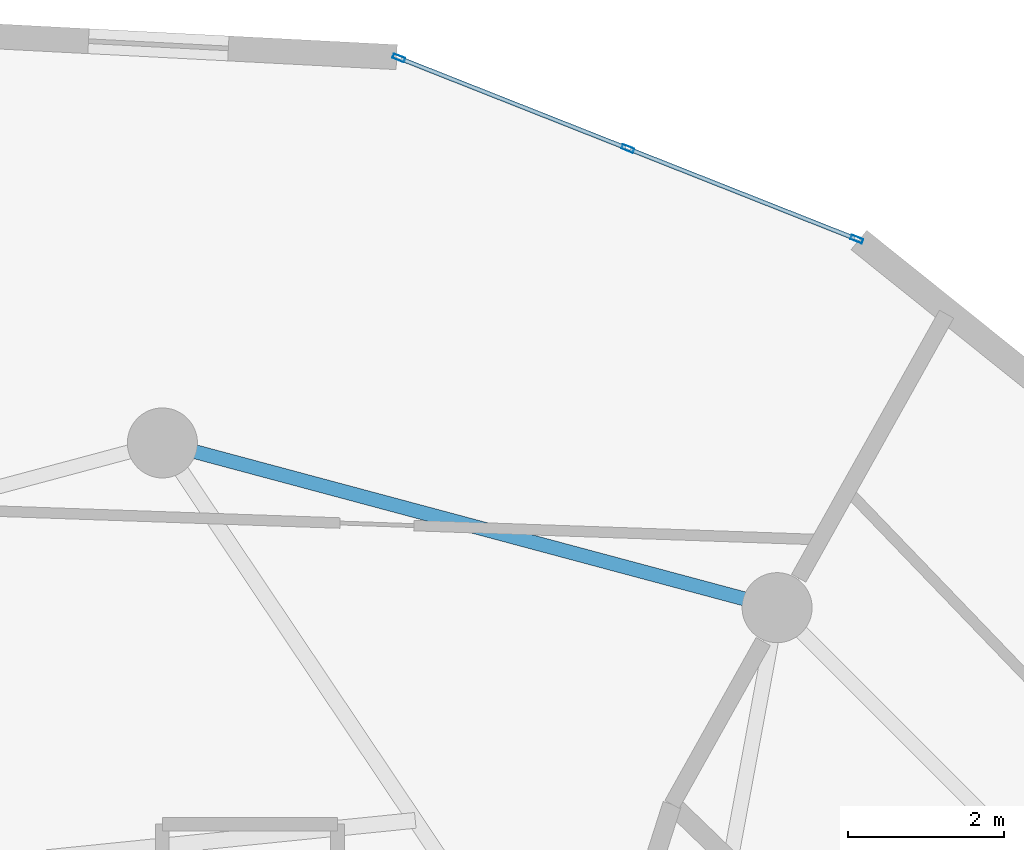
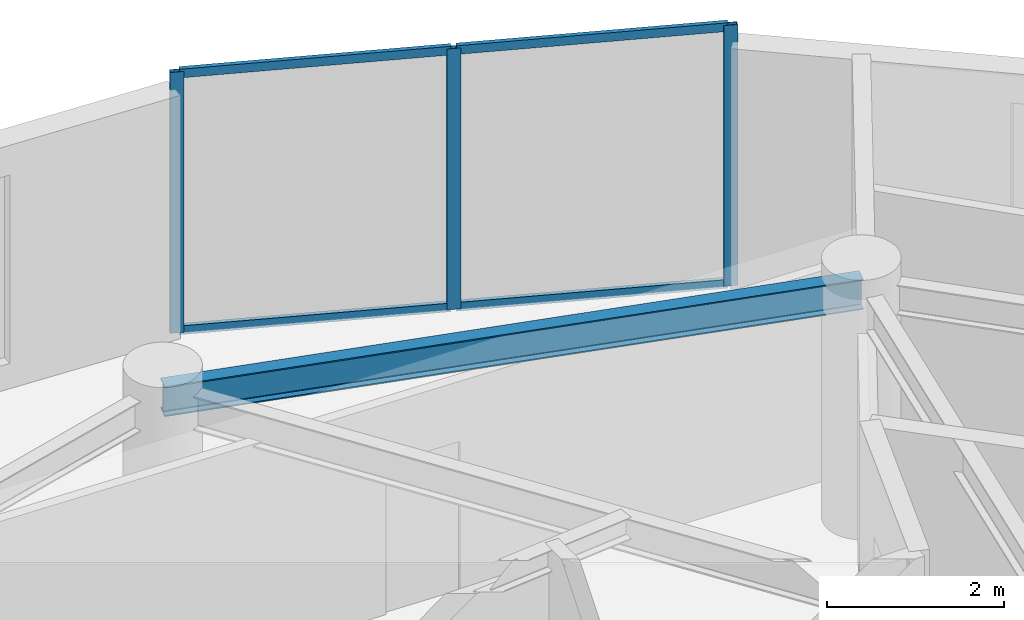
# One storey, part 12 of 18: 7 members, 1 beam, 1 element without a shape of its own.
"""IFC4 building model written with IfcOpenShell, lengths in metres."""

from ifc_helpers import new_model, si_unit, direction, frame, origin, origin_2d, place, context, subcontext, project, spatial, hollow_rectangle, i_section, extrude, source, transform, mapped, material, layer, layer_set, material_profile, profile_set, type_object, element, aggregate, save


model = new_model("IFC4")

# Units and contexts
model_context = context("Model", 3, precision=1e-05, world=origin(), true_north=direction((0.0, 1.0)))
body_context = subcontext(model_context, "Body", "Model", "MODEL_VIEW")
ifc_project = project(units=[si_unit("LENGTHUNIT", "METRE"), si_unit("AREAUNIT", "SQUARE_METRE"), si_unit("VOLUMEUNIT", "CUBIC_METRE"), si_unit("PLANEANGLEUNIT", "RADIAN"), si_unit("MASSUNIT", "GRAM", prefix="KILO")], contexts=[model_context])

# Site, building, storey
site_placement = place(None, origin())
site = spatial("IfcSite", under=ifc_project, at=site_placement, CompositionType="ELEMENT")
building_placement = place(site_placement, origin())
building = spatial("IfcBuilding", under=site, at=building_placement, Name="Solvirekh Grand Hotel", CompositionType="ELEMENT")
storey_placement = place(building_placement, frame((0.0, 0.0, 198.39990234375)))
storey = spatial("IfcBuildingStorey", under=building, at=storey_placement, Name="L51", CompositionType="ELEMENT", Elevation=198.39990234375)

# Beam
ifc_material_1 = material(Name="Steel S355", Category="steel")
ifc_material_profile_1 = material_profile(ifc_material_1, i_section(OverallWidth=0.180908203125, OverallDepth=0.4169921875, WebThickness=0.010009765625, FlangeThickness=0.01611328125, FilletRadius=0.011962890625, at=origin_2d()), Name="W410X85")
ifc_profile_set_1 = profile_set([ifc_material_profile_1], Name="Steel S355")
beam_type = type_object("IfcBeamType", Name="Spandrel_Ring_W410", PredefinedType="SPANDREL", material=ifc_profile_set_1)
beam_placement = place(storey_placement, frame((7.89990234375, 13.68310546875, 3.152099609375), z_axis=(-0.965920601923, 0.258838541915, 0.0), x_axis=(-0.258838541915, -0.965920601923, 0.0)))
element("IfcBeam", 1, at=beam_placement, inside=storey, type_object=beam_type, Name="L51 perimeter spandrel beam 3", PredefinedType="SPANDREL", context=body_context, shape_type="SweptSolid", body=[
    extrude(i_section(OverallWidth=0.180908203125, OverallDepth=0.4169921875, WebThickness=0.010009765625, FlangeThickness=0.01611328125, FilletRadius=0.011962890625, at=origin_2d()), origin(), (0.0, 0.0, 1.0), 8.1787109375),
])

# Curtain wall, members
ifc_material_2 = material(Name="Anodized Bronze Aluminium 6063-T6", Category="aluminium")
ifc_layer = layer(ifc_material_2, 0.159912109375)
ifc_layer_set = layer_set([ifc_layer], Name="Anodized Bronze Aluminium 6063-T6")
curtain_wall_type = type_object("IfcCurtainWallType", Name="CW_Sys4_HighZoneFlushBronzeCW", PredefinedType="NOTDEFINED", material=ifc_layer_set)
curtain_wall_placement = place(storey_placement, origin())
curtain_wall = element("IfcCurtainWall", 2, at=curtain_wall_placement, inside=storey, type_object=curtain_wall_type, Name="L51 unitised bronze-glass curtain wall CW-L51-C08", PredefinedType="NOTDEFINED")
ifc_material_profile_2 = material_profile(ifc_material_2, hollow_rectangle(XDim=0.06005859375, YDim=0.159912109375, WallThickness=0.0048828125, at=origin_2d()), Name="ALU RHS 160X60X5")
ifc_profile_set_2 = profile_set([ifc_material_profile_2], Name="Anodized Bronze Aluminium 6063-T6")
member_type_1 = type_object("IfcMemberType", Name="CWMullion_Sys4", PredefinedType="MULLION", material=ifc_profile_set_2)
shared_shape_1 = source(origin(), body_context, "Body", "SweptSolid", [
    extrude(hollow_rectangle(XDim=0.06005859375, YDim=0.159912109375, WallThickness=0.0048828125, at=origin_2d()), origin(), (0.0, 0.0, 1.0), 3.60009765625),
])
member_1_placement = place(storey_placement, frame((8.924072265625, 18.4189453125, 0.0), z_axis=(0.0, 0.0, 1.0), x_axis=(-0.367825727559, -0.929894743584, 0.0)))
member_1 = element("IfcMember", 3, at=member_1_placement, type_object=member_type_1, Name="U04 mullion 1", PredefinedType="MULLION", context=body_context, shape_type="MappedRepresentation", body=[
    mapped(shared_shape_1, transform((0.0, 0.0, 0.0), x_axis=(1.0, 0.0, 0.0), y_axis=(0.0, 1.0, 0.0), z_axis=(0.0, 0.0, 1.0), scale=1.0)),
])
member_2_placement = place(storey_placement, frame((5.9814453125, 19.5830078125, 0.0), z_axis=(0.0, 0.0, 1.0), x_axis=(-0.367825727559, -0.929894743584, 0.0)))
member_2 = element("IfcMember", 4, at=member_2_placement, type_object=member_type_1, Name="U04 mullion 2", PredefinedType="MULLION", context=body_context, shape_type="MappedRepresentation", body=[
    mapped(shared_shape_1, transform((0.0, 0.0, 0.0), x_axis=(1.0, 0.0, 0.0), y_axis=(0.0, 1.0, 0.0), z_axis=(0.0, 0.0, 1.0), scale=1.0)),
])
member_3_placement = place(storey_placement, frame((3.038818359375, 20.7470703125, 0.0), z_axis=(0.0, 0.0, 1.0), x_axis=(-0.367825727559, -0.929894743584, 0.0)))
member_3 = element("IfcMember", 5, at=member_3_placement, type_object=member_type_1, Name="U04 mullion 3", PredefinedType="MULLION", context=body_context, shape_type="MappedRepresentation", body=[
    mapped(shared_shape_1, transform((0.0, 0.0, 0.0), x_axis=(1.0, 0.0, 0.0), y_axis=(0.0, 1.0, 0.0), z_axis=(0.0, 0.0, 1.0), scale=1.0)),
])
ifc_material_profile_3 = material_profile(ifc_material_2, hollow_rectangle(XDim=0.054931640625, YDim=0.1201171875, WallThickness=0.00390625, at=origin_2d()), Name="ALU RHS 120X55X4")
ifc_profile_set_3 = profile_set([ifc_material_profile_3], Name="Anodized Bronze Aluminium 6063-T6")
member_type_2 = type_object("IfcMemberType", Name="CWTransom_Sys4", PredefinedType="USERDEFINED", material=ifc_profile_set_3)
shared_shape_2 = source(origin(), body_context, "Body", "SweptSolid", [
    extrude(hollow_rectangle(XDim=0.054931640625, YDim=0.1201171875, WallThickness=0.00390625, at=origin_2d()), origin(), (0.0, 0.0, 1.0), 3.1044921875),
])
member_4_placement = place(storey_placement, frame((8.896240234375, 18.43017578125, 0.027587890625), z_axis=(-0.929906935525, 0.367794903801, 0.0), x_axis=(-0.367794903801, -0.929906935525, 0.0)))
member_4 = element("IfcMember", 6, at=member_4_placement, type_object=member_type_2, Name="U04 transom 1.1", ObjectType="TRANSOM", PredefinedType="USERDEFINED", context=body_context, shape_type="MappedRepresentation", body=[
    mapped(shared_shape_2, transform((0.0, 0.0, 0.0), x_axis=(1.0, 0.0, 0.0), y_axis=(0.0, 1.0, 0.0), z_axis=(0.0, 0.0, 1.0), scale=1.0)),
])
member_5_placement = place(storey_placement, frame((8.896240234375, 18.43017578125, 3.572509765625), z_axis=(-0.929906935525, 0.367794903801, 0.0), x_axis=(-0.367794903801, -0.929906935525, 0.0)))
member_5 = element("IfcMember", 7, at=member_5_placement, type_object=member_type_2, Name="U04 transom 1.2", ObjectType="TRANSOM", PredefinedType="USERDEFINED", context=body_context, shape_type="MappedRepresentation", body=[
    mapped(shared_shape_2, transform((0.0, 0.0, 0.0), x_axis=(1.0, 0.0, 0.0), y_axis=(0.0, 1.0, 0.0), z_axis=(0.0, 0.0, 1.0), scale=1.0)),
])
shared_shape_3 = source(origin(), body_context, "Body", "SweptSolid", [
    extrude(hollow_rectangle(XDim=0.054931640625, YDim=0.1201171875, WallThickness=0.00390625, at=origin_2d()), origin(), (0.0, 0.0, 1.0), 3.104248046875),
])
member_6_placement = place(storey_placement, frame((5.95361328125, 19.593994140625, 0.027587890625), z_axis=(-0.929896296609, 0.367821801357, 0.0), x_axis=(-0.367821801357, -0.929896296609, 0.0)))
member_6 = element("IfcMember", 8, at=member_6_placement, type_object=member_type_2, Name="U04 transom 2.1", ObjectType="TRANSOM", PredefinedType="USERDEFINED", context=body_context, shape_type="MappedRepresentation", body=[
    mapped(shared_shape_3, transform((0.0, 0.0, 0.0), x_axis=(1.0, 0.0, 0.0), y_axis=(0.0, 1.0, 0.0), z_axis=(0.0, 0.0, 1.0), scale=1.0)),
])
member_7_placement = place(storey_placement, frame((5.95361328125, 19.593994140625, 3.572509765625), z_axis=(-0.929896296609, 0.367821801357, 0.0), x_axis=(-0.367821801357, -0.929896296609, 0.0)))
member_7 = element("IfcMember", 9, at=member_7_placement, type_object=member_type_2, Name="U04 transom 2.2", ObjectType="TRANSOM", PredefinedType="USERDEFINED", context=body_context, shape_type="MappedRepresentation", body=[
    mapped(shared_shape_3, transform((0.0, 0.0, 0.0), x_axis=(1.0, 0.0, 0.0), y_axis=(0.0, 1.0, 0.0), z_axis=(0.0, 0.0, 1.0), scale=1.0)),
])
aggregate(curtain_wall, [member_1, member_2, member_3, member_4, member_5, member_6, member_7])

save(model, "model.ifc")
